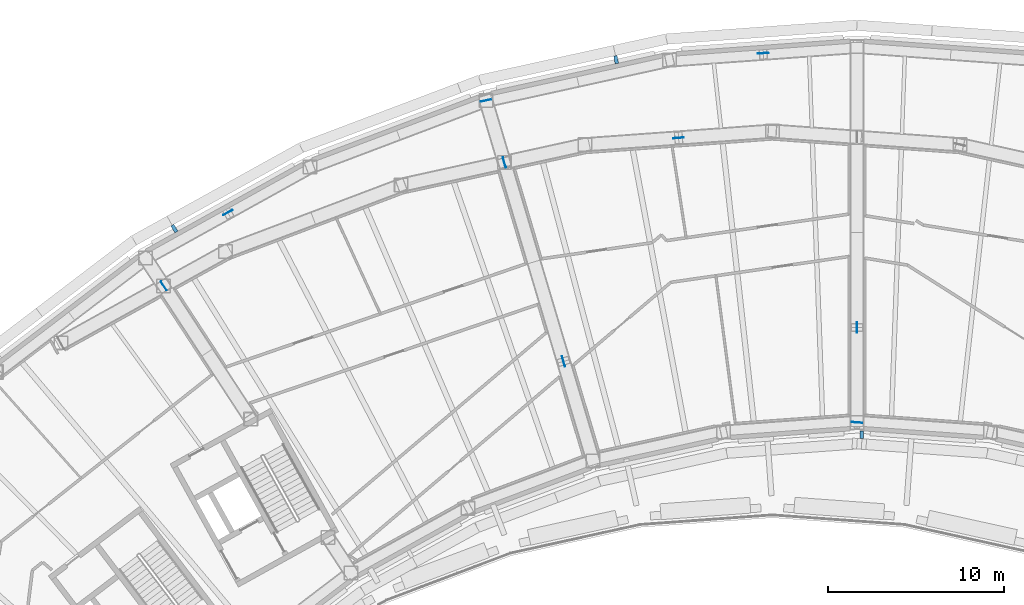
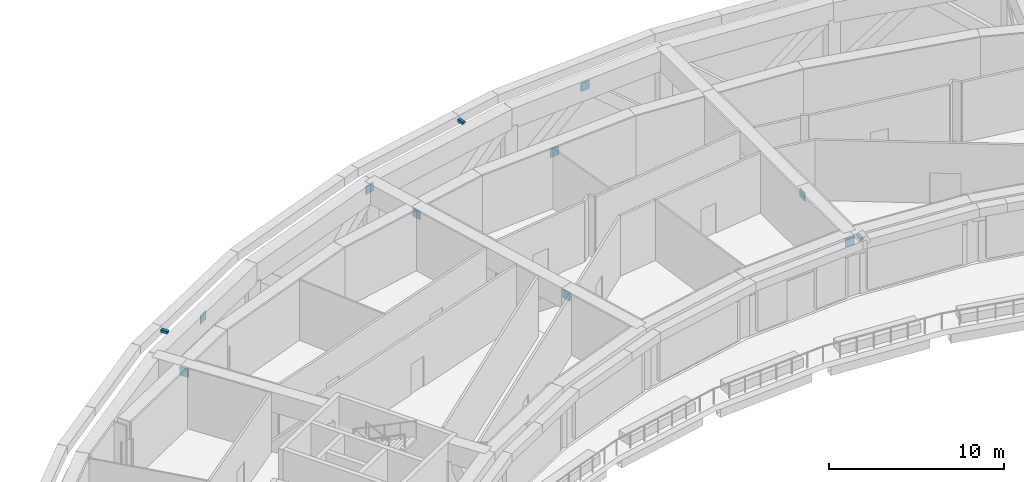
# One storey, part 16 of 25: 12 discrete accessories.
"""IFC4 building model written with IfcOpenShell, lengths in metres."""

import ifcopenshell
import ifcopenshell.guid

model = None  # the IFC model being written
_history = None  # IfcOwnerHistory: only IFC2X3 demands one
_inside = {}  # id of a spatial element -> (the spatial element, [elements in it])
_under = {}  # id of a project, library or spatial element -> (it, [spatial elements below it])
_declared = {}  # id of a project -> (the project, [libraries it declares])
_typed = {}  # id of a type object -> (the type object, [elements of that type])
_made_of = {}  # id of a material, layer set ... -> (it, [elements and type objects made of it])


def new_model(schema):
    """Start an empty IFC model of exactly this schema.

    Asked for "IFC4X3", IfcOpenShell would pick the latest addendum, in which some entities
    have other attributes; the version numbers below select the first issue.
    IFC2X3 requires an IfcOwnerHistory on every rooted entity: one is made here for all.
    """
    global model, _history
    if schema == "IFC4X3":
        model = ifcopenshell.file(schema_version=(4, 3, 0, 0))
    else:
        model = ifcopenshell.file(schema=schema)
    _inside.clear()
    _under.clear()
    _declared.clear()
    _typed.clear()
    _made_of.clear()
    _history = None
    if model.schema == "IFC2X3":
        org = make("IfcOrganization", Name="unknown")
        user = make(
            "IfcPersonAndOrganization",
            ThePerson=make("IfcPerson", FamilyName="unknown"),
            TheOrganization=org,
        )
        app = make(
            "IfcApplication",
            ApplicationDeveloper=org,
            Version="unknown",
            ApplicationFullName="unknown",
            ApplicationIdentifier="unknown",
        )
        _history = make(
            "IfcOwnerHistory",
            OwningUser=user,
            OwningApplication=app,
            ChangeAction="ADDED",
            CreationDate=0,
        )
    return model


def make(cls, **values):
    """One entity of the class cls with the attributes given. An attribute that is None is left unset."""
    return model.create_entity(
        cls, **{name: value for name, value in values.items() if value is not None}
    )


def rooted(cls, **values):
    """An entity with a GlobalId (a new one), such as an element, a storey or a relation."""
    return make(cls, GlobalId=ifcopenshell.guid.new(), OwnerHistory=_history, **values)


def si_unit(unit_type, name, prefix=None):
    """IfcSIUnit, for example si_unit("LENGTHUNIT", "METRE", prefix="MILLI")."""
    return make("IfcSIUnit", UnitType=unit_type, Prefix=prefix, Name=name)


def assignment(units):
    """IfcUnitAssignment: the units of a project."""
    return None if units is None else make("IfcUnitAssignment", Units=units)


def point(xyz):
    """IfcCartesianPoint."""
    return None if xyz is None else make("IfcCartesianPoint", Coordinates=xyz)


def direction(xyz):
    """IfcDirection."""
    return None if xyz is None else make("IfcDirection", DirectionRatios=xyz)


def frame(location, z_axis=None, x_axis=None):
    """IfcAxis2Placement3D, a coordinate frame: its origin and axes. An axis left out is left unset."""
    return make(
        "IfcAxis2Placement3D",
        Location=point(location),
        Axis=direction(z_axis),
        RefDirection=direction(x_axis),
    )


def frame_2d(location, x_axis=None):
    """IfcAxis2Placement2D, a coordinate frame in the plane: its origin and x axis."""
    return make(
        "IfcAxis2Placement2D", Location=point(location), RefDirection=direction(x_axis)
    )


def origin():
    """The frame at (0, 0, 0) with its axes left unset."""
    return frame((0.0, 0.0, 0.0))


def origin_2d():
    """The frame at (0, 0) in the plane with its x axis left unset."""
    return frame_2d((0.0, 0.0))


def place(relative_to, where):
    """IfcLocalPlacement: puts the frame where relative to a parent placement (None: the world)."""
    return make(
        "IfcLocalPlacement", PlacementRelTo=relative_to, RelativePlacement=where
    )


def context(
    kind, dimensions, precision=None, world=None, true_north=None, identifier=None
):
    """IfcGeometricRepresentationContext, for example the 3D "Model" context."""
    return make(
        "IfcGeometricRepresentationContext",
        ContextIdentifier=identifier,
        ContextType=kind,
        CoordinateSpaceDimension=dimensions,
        Precision=precision,
        WorldCoordinateSystem=world,
        TrueNorth=true_north,
    )


def subcontext(parent, identifier, kind, view, scale=None):
    """IfcGeometricRepresentationSubContext, for example "Body" below "Model"."""
    return make(
        "IfcGeometricRepresentationSubContext",
        ContextIdentifier=identifier,
        ContextType=kind,
        ParentContext=parent,
        TargetScale=scale,
        TargetView=view,
    )


def project(units=None, contexts=None):
    """IfcProject with its units and contexts."""
    return rooted(
        "IfcProject",
        Name="project",
        RepresentationContexts=contexts,
        UnitsInContext=assignment(units),
    )


def spatial(cls, under=None, at=None, **own):
    """A site, building, storey or space (cls), placed at a placement, below another one or the project."""
    s = rooted(cls, ObjectPlacement=at, **own)
    if under is not None:
        _under.setdefault(under.id(), (under, []))[1].append(s)
    return s


def profile(cls, at=None, kind="AREA", **sizes):
    """A parametric profile (cls). Its sizes go by their IFC names, for example OverallWidth=200.0."""
    return make(cls, ProfileType=kind, Position=at, **sizes)


def rectangle(**sizes):
    """IfcRectangleProfileDef."""
    return profile("IfcRectangleProfileDef", **sizes)


def extrude(swept, where, along, depth):
    """IfcExtrudedAreaSolid: the profile swept, set in the frame where, extruded along a direction by depth."""
    return make(
        "IfcExtrudedAreaSolid",
        SweptArea=swept,
        Position=where,
        ExtrudedDirection=direction(along),
        Depth=depth,
    )


def shape(context_of_items, identifier, shape_type, items):
    """IfcShapeRepresentation: the items that make up one representation, for example the "Body"."""
    return make(
        "IfcShapeRepresentation",
        ContextOfItems=context_of_items,
        RepresentationIdentifier=identifier,
        RepresentationType=shape_type,
        Items=items,
    )


def material(Name=None, Category=None):
    """IfcMaterial."""
    return make("IfcMaterial", Name=Name, Category=Category)


def made_of(thing, what):
    """Note that an element or type object is made of a material, layer set ...; save() writes the relation."""
    if what is not None:
        _made_of.setdefault(what.id(), (what, []))[1].append(thing)
    return thing


def type_object(cls, material=None, **own):
    """A type object (cls), such as IfcWallType, which elements share."""
    return made_of(rooted(cls, **own), material)


def element(
    cls,
    number,
    at=None,
    inside=None,
    cuts=None,
    type_object=None,
    material=None,
    context=None,
    identifier="Body",
    shape_type=None,
    held_by="IfcProductDefinitionShape",
    body=None,
    shapes=None,
    **own,
):
    """One element of the class cls, such as IfcWall. Its Tag is "e" and its number.

    at: its placement. inside: the storey or other place that contains it. cuts: it is an
    opening in that element (IfcRelVoidsElement). A single representation is given by context,
    identifier, shape_type and body (its items); several are given by shapes. held_by: the class
    of the entity that holds the representations. save() writes the other relations.
    """
    e = rooted(cls, Tag="e%d" % number, ObjectPlacement=at, **own)
    if body is not None:
        shapes = [shape(context, identifier, shape_type, body)]
    if shapes is not None:
        e.Representation = make(held_by, Representations=shapes)
    if inside is not None:
        _inside.setdefault(inside.id(), (inside, []))[1].append(e)
    if cuts is not None:
        rooted(
            "IfcRelVoidsElement", RelatingBuildingElement=cuts, RelatedOpeningElement=e
        )
    if type_object is not None:
        _typed.setdefault(type_object.id(), (type_object, []))[1].append(e)
    return made_of(e, material)


def aggregate(whole, parts):
    """IfcRelAggregates: a whole, such as a stair, and the parts it consists of."""
    return rooted("IfcRelAggregates", RelatingObject=whole, RelatedObjects=parts)


def save(model, path):
    """Write the relations noted so far, then the file.

    IfcRelAggregates (storeys below a building ...), IfcRelContainedInSpatialStructure (elements
    in a storey), IfcRelDefinesByType, IfcRelAssociatesMaterial and IfcRelDeclares: one each for
    every whole, place, type object, material and project.
    """
    for whole, parts in _under.values():
        aggregate(whole, parts)
    for where, things in _inside.values():
        rooted(
            "IfcRelContainedInSpatialStructure",
            RelatedElements=things,
            RelatingStructure=where,
        )
    for kind, things in _typed.values():
        rooted("IfcRelDefinesByType", RelatedObjects=things, RelatingType=kind)
    for what, things in _made_of.values():
        rooted("IfcRelAssociatesMaterial", RelatedObjects=things, RelatingMaterial=what)
    for by, libraries in _declared.values():
        rooted("IfcRelDeclares", RelatingContext=by, RelatedDefinitions=libraries)
    model.write(path)


model = new_model("IFC4")

# Units and contexts
model_context = context("Model", 3, precision=1e-05, world=origin(), true_north=direction((0.0, 1.0)))
body_context = subcontext(model_context, "Body", "Model", "MODEL_VIEW")
ifc_project = project(units=[si_unit("LENGTHUNIT", "METRE"), si_unit("AREAUNIT", "SQUARE_METRE"), si_unit("VOLUMEUNIT", "CUBIC_METRE"), si_unit("PLANEANGLEUNIT", "RADIAN"), si_unit("MASSUNIT", "GRAM", prefix="KILO")], contexts=[model_context])

# Site, building, storey
site_placement = place(None, origin())
site = spatial("IfcSite", under=ifc_project, at=site_placement, CompositionType="ELEMENT")
building_placement = place(site_placement, origin())
building = spatial("IfcBuilding", under=site, at=building_placement, Name="Tuul Gate Civic Tower", CompositionType="ELEMENT")
storey_placement = place(building_placement, frame((0.0, 0.0, 60.89990234375)))
storey = spatial("IfcBuildingStorey", under=building, at=storey_placement, Name="Plant and refuge floor 2", CompositionType="ELEMENT", Elevation=60.89990234375)

# Discrete accessories
ifc_material_1 = material(Name="Steel S355", Category="steel")
discrete_accessory_type_1 = type_object("IfcDiscreteAccessoryType", Name="Gusset plate", PredefinedType="BRACKET", material=ifc_material_1)
for number, where, z_axis, x_axis, name in (
    (1, (-15.220947265625, 12.119873046875, 3.20361328125), (0.0, 0.0, 1.0), (-0.285224909945, 0.958460615126, 0.0), "Gusset plate"),
    (2, (-34.566162109375, 5.111328125, 3.203857421875), (0.0, 0.0, 1.0), (-0.54674333885, 0.837300257627, 0.0), "Gusset plate"),
    (3, (4.80810546875, 2.750732421875, 3.203369140625), (0.0, 0.0, 1.0), (0.0, 1.0, 0.0), "Gusset plate"),
    (4, (-11.8583984375, 0.819091796875, 3.203125), (0.0, 0.0, 1.0), (-0.285224909945, 0.958460615126, 0.0), "Gusset plate"),
    (5, (-30.924560546875, 9.2724609375, 3.203369140625), (0.0, 0.0, 1.0), (0.874607488421, 0.484831662743, 0.0), "Gusset plate"),
    (6, (-16.26806640625, 15.63720703125, 3.203369140625), (0.0, 0.0, 1.0), (0.976564607871, 0.215224456448, 0.0), "Gusset plate"),
    (7, (-0.5166015625, 18.321044921875, 3.203369140625), (0.0, 0.0, 1.0), (0.997382544793, 0.072305320295, 0.0), "Gusset plate"),
    (8, (-5.324462890625, 13.512451171875, 3.203369140625), (0.0, 0.0, 1.0), (0.997389294483, 0.072212154455, 0.0), "Gusset plate"),
    (9, (4.80810546875, -2.648681640625, 3.20263671875), (0.0, 0.0, 1.0), (0.997381904937, -0.07231414595, 0.0), "Gusset plate"),
):
    element("IfcDiscreteAccessory", number, at=place(storey_placement, frame(where, z_axis=z_axis, x_axis=x_axis)), inside=storey, type_object=discrete_accessory_type_1, Name=name, PredefinedType="BRACKET", context=body_context, shape_type="SweptSolid", body=[
        extrude(rectangle(XDim=0.60009765625, YDim=0.030029296875, at=origin_2d()), origin(), (0.0, 0.0, 1.0), 0.60009765625),
    ])
ifc_material_2 = material(Name="Stainless steel", Category="steel")
discrete_accessory_type_2 = type_object("IfcDiscreteAccessoryType", Name="Screen bracket", PredefinedType="BRACKET", material=ifc_material_2)
discrete_accessory_1_placement = place(storey_placement, frame((-8.873291015625, 17.95849609375, 4.05029296875), z_axis=(0.0, 0.0, 1.0), x_axis=(-0.183848416855, 0.9829546071, 0.0)))
element("IfcDiscreteAccessory", 10, at=discrete_accessory_1_placement, inside=storey, type_object=discrete_accessory_type_2, Name="Screen bracket 10", PredefinedType="BRACKET", context=body_context, shape_type="SweptSolid", body=[
    extrude(rectangle(XDim=0.4501953125, YDim=0.199951171875, at=origin_2d()), origin(), (0.0, 0.0, 1.0), 0.199951171875),
])
discrete_accessory_2_placement = place(storey_placement, frame((-33.9580078125, 8.363037109375, 4.05029296875), z_axis=(0.0, 0.0, 1.0), x_axis=(-0.520735495179, 0.853718070595, 0.0)))
element("IfcDiscreteAccessory", 11, at=discrete_accessory_2_placement, inside=storey, type_object=discrete_accessory_type_2, Name="Screen bracket 13", PredefinedType="BRACKET", context=body_context, shape_type="SweptSolid", body=[
    extrude(rectangle(XDim=0.450439453125, YDim=0.199951171875, at=origin_2d()), origin(), (0.0, 0.0, 1.0), 0.199951171875),
])
discrete_accessory_3_placement = place(storey_placement, frame((5.072509765625, -3.3447265625, 4.05029296875), z_axis=(0.0, 0.0, 1.0), x_axis=(-0.005103320581, -0.999986977975, 0.0)))
element("IfcDiscreteAccessory", 12, at=discrete_accessory_3_placement, inside=storey, type_object=discrete_accessory_type_2, Name="Screen bracket 25", PredefinedType="BRACKET", context=body_context, shape_type="SweptSolid", body=[
    extrude(rectangle(XDim=0.450927734375, YDim=0.199951171875, at=origin_2d()), origin(), (0.0, 0.0, 1.0), 0.199951171875),
])

save(model, "model.ifc")
